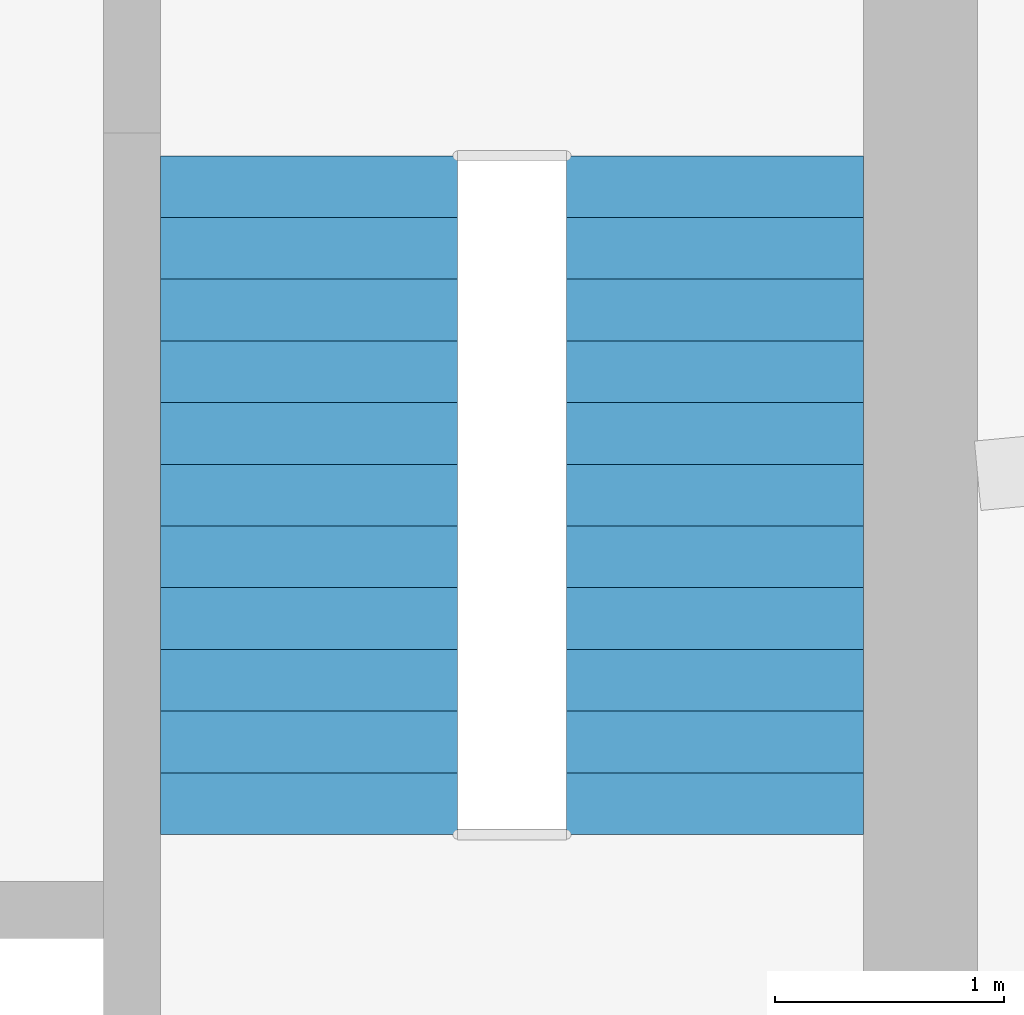
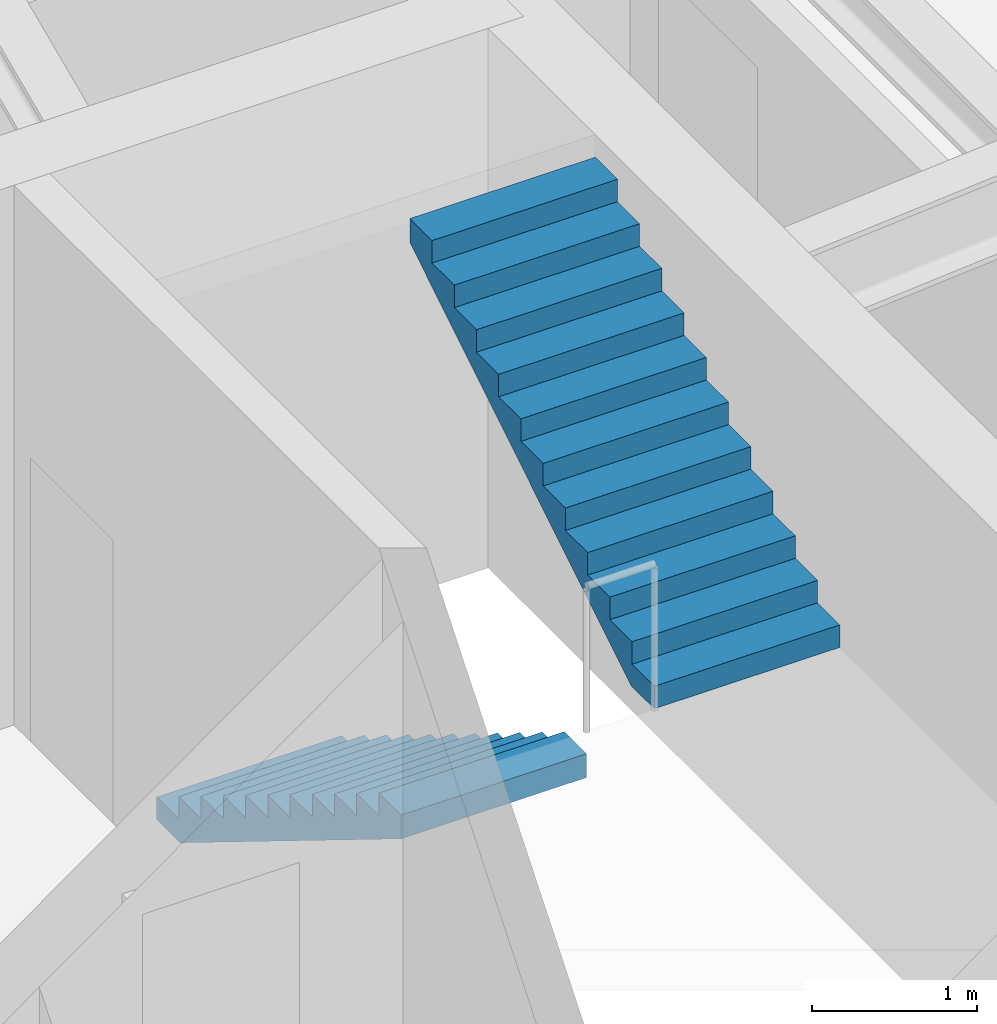
# One storey, part 8 of 11: 2 stair flights, 1 element without a shape of its own.
"""IFC4 building model written with IfcOpenShell, lengths in metres."""

from ifc_helpers import new_model, si_unit, direction, frame, origin, place, context, subcontext, project, spatial, polyline, outline, extrude, material, type_object, element, aggregate, save


model = new_model("IFC4")

# Units and contexts
model_context = context("Model", 3, precision=1e-05, world=origin(), true_north=direction((0.0, 1.0)))
body_context = subcontext(model_context, "Body", "Model", "MODEL_VIEW")
ifc_project = project(units=[si_unit("LENGTHUNIT", "METRE"), si_unit("AREAUNIT", "SQUARE_METRE"), si_unit("VOLUMEUNIT", "CUBIC_METRE"), si_unit("PLANEANGLEUNIT", "RADIAN"), si_unit("MASSUNIT", "GRAM", prefix="KILO")], contexts=[model_context])

# Site, building, storey
site_placement = place(None, origin())
site = spatial("IfcSite", under=ifc_project, at=site_placement, CompositionType="ELEMENT")
building_placement = place(site_placement, origin())
building = spatial("IfcBuilding", under=site, at=building_placement, Name="Isbrekke Arena Tower", CompositionType="ELEMENT")
storey_placement = place(building_placement, frame((0.0, 0.0, 284.0)))
storey = spatial("IfcBuildingStorey", under=building, at=storey_placement, Name="L66", CompositionType="ELEMENT", Elevation=284.0)

# Stair, stair flights
ifc_material_1 = material(Name="Concrete B45 (C45/55) precast", Category="concrete")
stair_type = type_object("IfcStairType", Name="ST40 STAIR 1300 WIDE, 24 RISERS 167", PredefinedType="HALF_TURN_STAIR", material=ifc_material_1)
stair_placement = place(storey_placement, origin())
stair = element("IfcStair", 1, at=stair_placement, inside=storey, type_object=stair_type, Name="ST2 stair L66", PredefinedType="HALF_TURN_STAIR")
ifc_material_2 = material(Name="Concrete B45 (C45/55) precast", Category="concrete")
stair_flight_type = type_object("IfcStairFlightType", Name="SF 1300 FLIGHT", PredefinedType="STRAIGHT", material=ifc_material_2)
stair_flight_1_placement = place(storey_placement, frame((11.175048828125, 22.300048828125, 0.0), z_axis=(0.0, 0.0, 1.0), x_axis=(0.0, -1.0, 0.0)))
stair_flight_1 = element("IfcStairFlight", 2, at=stair_flight_1_placement, type_object=stair_flight_type, Name="ST2 flight 1", NumberOfRisers=12, NumberOfTreads=11, PredefinedType="STRAIGHT", RiserHeight=0.166666667, TreadLength=0.27, context=body_context, shape_type="SweptSolid", body=[
    extrude(outline(polyline([(0.0, 0.0), (0.0, 0.166748046875), (0.27001953125, 0.166748046875), (0.27001953125, 0.333251953125), (0.5400390625, 0.333251953125), (0.5400390625, 0.5), (0.81005859375, 0.5), (0.81005859375, 0.666748046875), (1.080078125, 0.666748046875), (1.080078125, 0.833251953125), (1.35009765625, 0.833251953125), (1.35009765625, 1.0), (1.6201171875, 1.0), (1.6201171875, 1.166748046875), (1.889892578125, 1.166748046875), (1.889892578125, 1.333251953125), (2.159912109375, 1.333251953125), (2.159912109375, 1.5), (2.429931640625, 1.5), (2.429931640625, 1.666748046875), (2.699951171875, 1.666748046875), (2.699951171875, 1.833251953125), (2.969970703125, 1.833251953125), (2.969970703125, 2.0), (2.969970703125, 1.6572265625), (0.285400390625, 0.0), (0.0, 0.0)])), frame((0.0, 0.64990234375, 0.0), z_axis=(0.0, -1.0, 0.0), x_axis=(1.0, 0.0, 0.0)), (0.0, 0.0, 1.0), 1.300048828125),
])
stair_flight_2_placement = place(storey_placement, frame((12.949951171875, 19.330078125, 2.0), z_axis=(0.0, 0.0, 1.0), x_axis=(0.0, 1.0, 0.0)))
stair_flight_2 = element("IfcStairFlight", 3, at=stair_flight_2_placement, type_object=stair_flight_type, Name="ST2 flight 2", NumberOfRisers=12, NumberOfTreads=11, PredefinedType="STRAIGHT", RiserHeight=0.166666667, TreadLength=0.27, context=body_context, shape_type="SweptSolid", body=[
    extrude(outline(polyline([(0.0, 0.0), (0.0, 0.166748046875), (0.27001953125, 0.166748046875), (0.27001953125, 0.333251953125), (0.5400390625, 0.333251953125), (0.5400390625, 0.5), (0.81005859375, 0.5), (0.81005859375, 0.666748046875), (1.080078125, 0.666748046875), (1.080078125, 0.833251953125), (1.35009765625, 0.833251953125), (1.35009765625, 1.0), (1.6201171875, 1.0), (1.6201171875, 1.166748046875), (1.889892578125, 1.166748046875), (1.889892578125, 1.333251953125), (2.159912109375, 1.333251953125), (2.159912109375, 1.5), (2.429931640625, 1.5), (2.429931640625, 1.666748046875), (2.699951171875, 1.666748046875), (2.699951171875, 1.833251953125), (2.969970703125, 1.833251953125), (2.969970703125, 2.0), (2.969970703125, 1.6572265625), (0.285400390625, 0.0), (0.0, 0.0)])), frame((0.0, 0.64990234375, 0.0), z_axis=(0.0, -1.0, 0.0), x_axis=(1.0, 0.0, 0.0)), (0.0, 0.0, 1.0), 1.300048828125),
])
aggregate(stair, [stair_flight_1, stair_flight_2])

save(model, "model.ifc")
